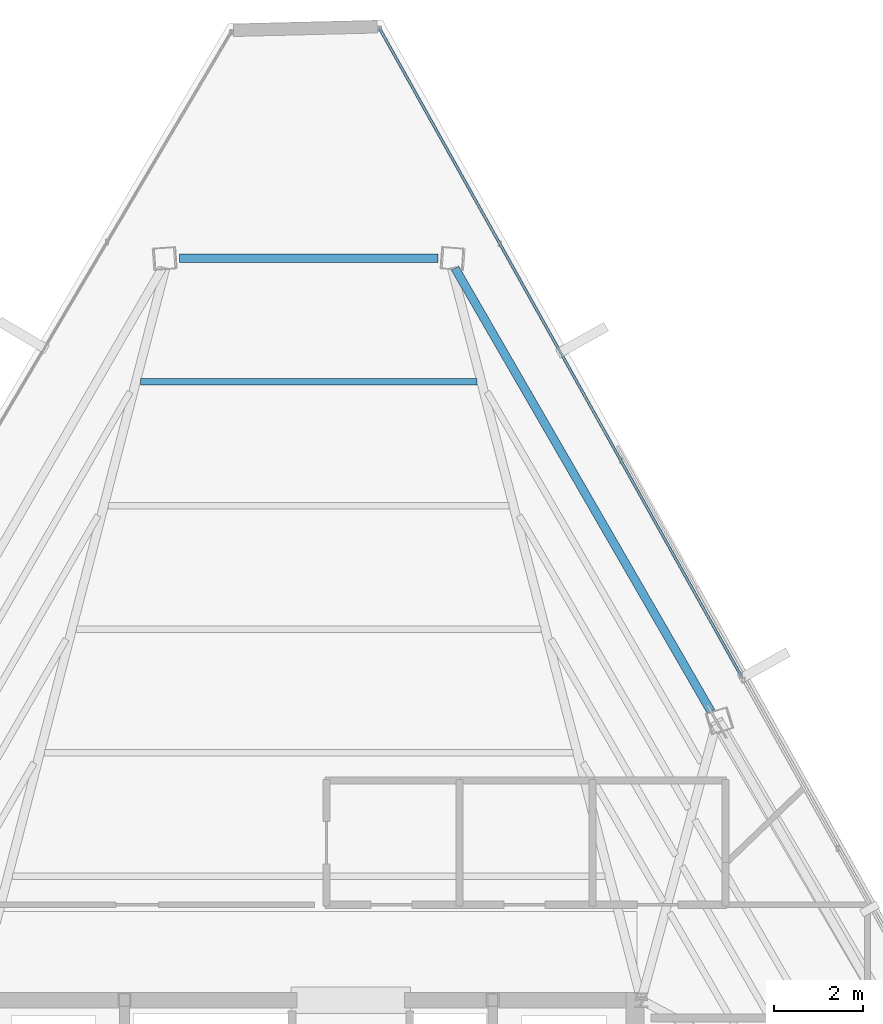
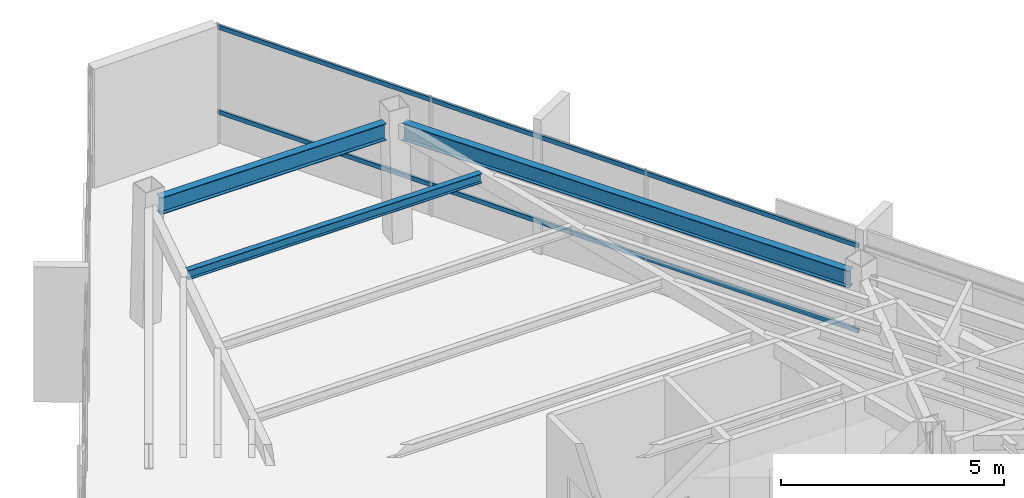
# One storey, part 35 of 44: 3 beams, 2 members, 1 element without a shape of its own.
"""IFC4 building model written with IfcOpenShell, lengths in metres."""

import ifcopenshell
import ifcopenshell.guid

model = None  # the IFC model being written
_history = None  # IfcOwnerHistory: only IFC2X3 demands one
_inside = {}  # id of a spatial element -> (the spatial element, [elements in it])
_under = {}  # id of a project, library or spatial element -> (it, [spatial elements below it])
_declared = {}  # id of a project -> (the project, [libraries it declares])
_typed = {}  # id of a type object -> (the type object, [elements of that type])
_made_of = {}  # id of a material, layer set ... -> (it, [elements and type objects made of it])


def new_model(schema):
    """Start an empty IFC model of exactly this schema.

    Asked for "IFC4X3", IfcOpenShell would pick the latest addendum, in which some entities
    have other attributes; the version numbers below select the first issue.
    IFC2X3 requires an IfcOwnerHistory on every rooted entity: one is made here for all.
    """
    global model, _history
    if schema == "IFC4X3":
        model = ifcopenshell.file(schema_version=(4, 3, 0, 0))
    else:
        model = ifcopenshell.file(schema=schema)
    _inside.clear()
    _under.clear()
    _declared.clear()
    _typed.clear()
    _made_of.clear()
    _history = None
    if model.schema == "IFC2X3":
        org = make("IfcOrganization", Name="unknown")
        user = make(
            "IfcPersonAndOrganization",
            ThePerson=make("IfcPerson", FamilyName="unknown"),
            TheOrganization=org,
        )
        app = make(
            "IfcApplication",
            ApplicationDeveloper=org,
            Version="unknown",
            ApplicationFullName="unknown",
            ApplicationIdentifier="unknown",
        )
        _history = make(
            "IfcOwnerHistory",
            OwningUser=user,
            OwningApplication=app,
            ChangeAction="ADDED",
            CreationDate=0,
        )
    return model


def make(cls, **values):
    """One entity of the class cls with the attributes given. An attribute that is None is left unset."""
    return model.create_entity(
        cls, **{name: value for name, value in values.items() if value is not None}
    )


def rooted(cls, **values):
    """An entity with a GlobalId (a new one), such as an element, a storey or a relation."""
    return make(cls, GlobalId=ifcopenshell.guid.new(), OwnerHistory=_history, **values)


def si_unit(unit_type, name, prefix=None):
    """IfcSIUnit, for example si_unit("LENGTHUNIT", "METRE", prefix="MILLI")."""
    return make("IfcSIUnit", UnitType=unit_type, Prefix=prefix, Name=name)


def assignment(units):
    """IfcUnitAssignment: the units of a project."""
    return None if units is None else make("IfcUnitAssignment", Units=units)


def point(xyz):
    """IfcCartesianPoint."""
    return None if xyz is None else make("IfcCartesianPoint", Coordinates=xyz)


def direction(xyz):
    """IfcDirection."""
    return None if xyz is None else make("IfcDirection", DirectionRatios=xyz)


def frame(location, z_axis=None, x_axis=None):
    """IfcAxis2Placement3D, a coordinate frame: its origin and axes. An axis left out is left unset."""
    return make(
        "IfcAxis2Placement3D",
        Location=point(location),
        Axis=direction(z_axis),
        RefDirection=direction(x_axis),
    )


def frame_2d(location, x_axis=None):
    """IfcAxis2Placement2D, a coordinate frame in the plane: its origin and x axis."""
    return make(
        "IfcAxis2Placement2D", Location=point(location), RefDirection=direction(x_axis)
    )


def origin():
    """The frame at (0, 0, 0) with its axes left unset."""
    return frame((0.0, 0.0, 0.0))


def origin_2d():
    """The frame at (0, 0) in the plane with its x axis left unset."""
    return frame_2d((0.0, 0.0))


def place(relative_to, where):
    """IfcLocalPlacement: puts the frame where relative to a parent placement (None: the world)."""
    return make(
        "IfcLocalPlacement", PlacementRelTo=relative_to, RelativePlacement=where
    )


def context(
    kind, dimensions, precision=None, world=None, true_north=None, identifier=None
):
    """IfcGeometricRepresentationContext, for example the 3D "Model" context."""
    return make(
        "IfcGeometricRepresentationContext",
        ContextIdentifier=identifier,
        ContextType=kind,
        CoordinateSpaceDimension=dimensions,
        Precision=precision,
        WorldCoordinateSystem=world,
        TrueNorth=true_north,
    )


def subcontext(parent, identifier, kind, view, scale=None):
    """IfcGeometricRepresentationSubContext, for example "Body" below "Model"."""
    return make(
        "IfcGeometricRepresentationSubContext",
        ContextIdentifier=identifier,
        ContextType=kind,
        ParentContext=parent,
        TargetScale=scale,
        TargetView=view,
    )


def project(units=None, contexts=None):
    """IfcProject with its units and contexts."""
    return rooted(
        "IfcProject",
        Name="project",
        RepresentationContexts=contexts,
        UnitsInContext=assignment(units),
    )


def spatial(cls, under=None, at=None, **own):
    """A site, building, storey or space (cls), placed at a placement, below another one or the project."""
    s = rooted(cls, ObjectPlacement=at, **own)
    if under is not None:
        _under.setdefault(under.id(), (under, []))[1].append(s)
    return s


def profile(cls, at=None, kind="AREA", **sizes):
    """A parametric profile (cls). Its sizes go by their IFC names, for example OverallWidth=200.0."""
    return make(cls, ProfileType=kind, Position=at, **sizes)


def hollow_rectangle(**sizes):
    """IfcRectangleHollowProfileDef."""
    return profile("IfcRectangleHollowProfileDef", **sizes)


def i_section(**sizes):
    """IfcIShapeProfileDef."""
    return profile("IfcIShapeProfileDef", **sizes)


def extrude(swept, where, along, depth):
    """IfcExtrudedAreaSolid: the profile swept, set in the frame where, extruded along a direction by depth."""
    return make(
        "IfcExtrudedAreaSolid",
        SweptArea=swept,
        Position=where,
        ExtrudedDirection=direction(along),
        Depth=depth,
    )


def shape(context_of_items, identifier, shape_type, items):
    """IfcShapeRepresentation: the items that make up one representation, for example the "Body"."""
    return make(
        "IfcShapeRepresentation",
        ContextOfItems=context_of_items,
        RepresentationIdentifier=identifier,
        RepresentationType=shape_type,
        Items=items,
    )


def source(mapping_origin, context_of_items, identifier, shape_type, items):
    """IfcRepresentationMap: a shape defined once, which mapped items show again and again."""
    return make(
        "IfcRepresentationMap",
        MappingOrigin=mapping_origin,
        MappedRepresentation=shape(context_of_items, identifier, shape_type, items),
    )


def transform(
    local_origin,
    x_axis=None,
    y_axis=None,
    z_axis=None,
    scale=None,
    scale2=None,
    scale3=None,
    uniform=True,
):
    """IfcCartesianTransformationOperator3D, or its non-uniform kind. x_axis, y_axis, z_axis: its Axis1, 2, 3."""
    if uniform:
        return make(
            "IfcCartesianTransformationOperator3D",
            Axis1=direction(x_axis),
            Axis2=direction(y_axis),
            LocalOrigin=point(local_origin),
            Scale=scale,
            Axis3=direction(z_axis),
        )
    return make(
        "IfcCartesianTransformationOperator3DnonUniform",
        Axis1=direction(x_axis),
        Axis2=direction(y_axis),
        LocalOrigin=point(local_origin),
        Scale=scale,
        Axis3=direction(z_axis),
        Scale2=scale2,
        Scale3=scale3,
    )


def mapped(mapping_source, mapping_target):
    """IfcMappedItem: shows the shape of a source again, moved by a transform."""
    return make(
        "IfcMappedItem", MappingSource=mapping_source, MappingTarget=mapping_target
    )


def material(Name=None, Category=None):
    """IfcMaterial."""
    return make("IfcMaterial", Name=Name, Category=Category)


def material_profile(
    of_material, cross_section, Name=None, Category=None, Priority=None
):
    """IfcMaterialProfile: a cross section and its material."""
    return make(
        "IfcMaterialProfile",
        Name=Name,
        Material=of_material,
        Profile=cross_section,
        Priority=Priority,
        Category=Category,
    )


def profile_set(profiles, Name=None, composite=None):
    """IfcMaterialProfileSet."""
    return make(
        "IfcMaterialProfileSet",
        Name=Name,
        MaterialProfiles=profiles,
        CompositeProfile=composite,
    )


def made_of(thing, what):
    """Note that an element or type object is made of a material, layer set ...; save() writes the relation."""
    if what is not None:
        _made_of.setdefault(what.id(), (what, []))[1].append(thing)
    return thing


def type_object(cls, material=None, **own):
    """A type object (cls), such as IfcWallType, which elements share."""
    return made_of(rooted(cls, **own), material)


def type_shapes(of_type, sources):
    """Give a type object the sources (RepresentationMaps) that its elements show as mapped items."""
    of_type.RepresentationMaps = sources


def element(
    cls,
    number,
    at=None,
    inside=None,
    cuts=None,
    type_object=None,
    material=None,
    context=None,
    identifier="Body",
    shape_type=None,
    held_by="IfcProductDefinitionShape",
    body=None,
    shapes=None,
    **own,
):
    """One element of the class cls, such as IfcWall. Its Tag is "e" and its number.

    at: its placement. inside: the storey or other place that contains it. cuts: it is an
    opening in that element (IfcRelVoidsElement). A single representation is given by context,
    identifier, shape_type and body (its items); several are given by shapes. held_by: the class
    of the entity that holds the representations. save() writes the other relations.
    """
    e = rooted(cls, Tag="e%d" % number, ObjectPlacement=at, **own)
    if body is not None:
        shapes = [shape(context, identifier, shape_type, body)]
    if shapes is not None:
        e.Representation = make(held_by, Representations=shapes)
    if inside is not None:
        _inside.setdefault(inside.id(), (inside, []))[1].append(e)
    if cuts is not None:
        rooted(
            "IfcRelVoidsElement", RelatingBuildingElement=cuts, RelatedOpeningElement=e
        )
    if type_object is not None:
        _typed.setdefault(type_object.id(), (type_object, []))[1].append(e)
    return made_of(e, material)


def aggregate(whole, parts):
    """IfcRelAggregates: a whole, such as a stair, and the parts it consists of."""
    return rooted("IfcRelAggregates", RelatingObject=whole, RelatedObjects=parts)


def save(model, path):
    """Write the relations noted so far, then the file.

    IfcRelAggregates (storeys below a building ...), IfcRelContainedInSpatialStructure (elements
    in a storey), IfcRelDefinesByType, IfcRelAssociatesMaterial and IfcRelDeclares: one each for
    every whole, place, type object, material and project.
    """
    for whole, parts in _under.values():
        aggregate(whole, parts)
    for where, things in _inside.values():
        rooted(
            "IfcRelContainedInSpatialStructure",
            RelatedElements=things,
            RelatingStructure=where,
        )
    for kind, things in _typed.values():
        rooted("IfcRelDefinesByType", RelatedObjects=things, RelatingType=kind)
    for what, things in _made_of.values():
        rooted("IfcRelAssociatesMaterial", RelatedObjects=things, RelatingMaterial=what)
    for by, libraries in _declared.values():
        rooted("IfcRelDeclares", RelatingContext=by, RelatedDefinitions=libraries)
    model.write(path)


model = new_model("IFC4")

# Units and contexts
model_context = context("Model", 3, precision=1e-05, world=origin(), true_north=direction((0.0, 1.0)))
body_context = subcontext(model_context, "Body", "Model", "MODEL_VIEW")
ifc_project = project(units=[si_unit("LENGTHUNIT", "METRE"), si_unit("AREAUNIT", "SQUARE_METRE"), si_unit("VOLUMEUNIT", "CUBIC_METRE"), si_unit("PLANEANGLEUNIT", "RADIAN"), si_unit("MASSUNIT", "GRAM", prefix="KILO")], contexts=[model_context])

# Site, building, storey
site_placement = place(None, origin())
site = spatial("IfcSite", under=ifc_project, at=site_placement, CompositionType="ELEMENT")
building_placement = place(site_placement, origin())
building = spatial("IfcBuilding", under=site, at=building_placement, Name="Caelisora Broadcast Tower", CompositionType="ELEMENT")
storey_placement = place(building_placement, frame((0.0, 0.0, 280.949951171875)))
storey = spatial("IfcBuildingStorey", under=building, at=storey_placement, Name="L74", CompositionType="ELEMENT", Elevation=280.949951171875)

# Beams
ifc_material_1 = material(Name="Steel Grade 350 (AS/NZS 3679.1)", Category="steel")
ifc_material_profile_1 = material_profile(ifc_material_1, i_section(OverallWidth=0.19091796875, OverallDepth=0.46044921875, WebThickness=0.010009765625, FlangeThickness=0.01611328125, at=origin_2d()), Name="Steel Grade 350 (AS/NZS 3679.1)")
ifc_profile_set_1 = profile_set([ifc_material_profile_1], Name="Steel Grade 350 (AS/NZS 3679.1)")
beam_type_1 = type_object("IfcBeamType", Name="PG06", PredefinedType="BEAM", material=ifc_profile_set_1)
shared_shape_1 = source(origin(), body_context, "Body", "SweptSolid", [
    extrude(i_section(OverallWidth=0.19091796875, OverallDepth=0.46044921875, WebThickness=0.010009765625, FlangeThickness=0.01611328125, at=origin_2d()), origin(), (0.0, 0.0, 1.0), 5.82470703125),
])
beam_1_placement = place(storey_placement, frame((40.912353515625, 46.724365234375, 3.019775390625), z_axis=(-1.0, 0.0, 0.0), x_axis=(0.0, -1.0, 0.0)))
element("IfcBeam", 1, at=beam_1_placement, inside=storey, type_object=beam_type_1, Name="L74 beam PG06", PredefinedType="BEAM", context=body_context, shape_type="MappedRepresentation", body=[
    mapped(shared_shape_1, transform((0.0, 0.0, 0.0), scale=1.0)),
])
shared_shape_2 = source(origin(), body_context, "Body", "SweptSolid", [
    extrude(i_section(OverallWidth=0.19091796875, OverallDepth=0.46044921875, WebThickness=0.010009765625, FlangeThickness=0.01611328125, at=origin_2d()), origin(), (0.0, 0.0, 1.0), 11.542236328125),
])
type_shapes(beam_type_1, [shared_shape_1, shared_shape_2])
beam_2_placement = place(storey_placement, frame((47.073486328125, 36.503173828125, 3.019775390625), z_axis=(-0.499992828295, 0.866029544331, 0.0), x_axis=(-0.866029544331, -0.499992828295, 0.0)))
element("IfcBeam", 2, at=beam_2_placement, inside=storey, type_object=beam_type_1, Name="L74 beam PG06", PredefinedType="BEAM", context=body_context, shape_type="MappedRepresentation", body=[
    mapped(shared_shape_2, transform((0.0, 0.0, 0.0), scale=1.0)),
])
ifc_material_profile_2 = material_profile(ifc_material_1, i_section(OverallWidth=0.14599609375, OverallDepth=0.256103515625, WebThickness=0.00634765625, FlangeThickness=0.010986328125, at=origin_2d()), Name="Steel Grade 350 (AS/NZS 3679.1)")
ifc_profile_set_2 = profile_set([ifc_material_profile_2], Name="Steel Grade 350 (AS/NZS 3679.1)")
beam_type_2 = type_object("IfcBeamType", Name="SB04", PredefinedType="JOIST", material=ifc_profile_set_2)
shared_shape_3 = source(origin(), body_context, "Body", "SweptSolid", [
    extrude(i_section(OverallWidth=0.14599609375, OverallDepth=0.256103515625, WebThickness=0.00634765625, FlangeThickness=0.010986328125, at=origin_2d()), origin(), (0.0, 0.0, 1.0), 7.5869140625),
])
type_shapes(beam_type_2, [shared_shape_3])
beam_3_placement = place(storey_placement, frame((41.79345703125, 43.93701171875, 3.1220703125), z_axis=(-1.0, 0.0, 0.0), x_axis=(0.0, -1.0, 0.0)))
element("IfcBeam", 3, at=beam_3_placement, inside=storey, type_object=beam_type_2, Name="L74 beam SB04", PredefinedType="JOIST", context=body_context, shape_type="MappedRepresentation", body=[
    mapped(shared_shape_3, transform((0.0, 0.0, 0.0), scale=1.0)),
])

# Curtain wall, members
ifc_material_2 = material(Name="Unitised Aluminium and Low-E Glass Curtain Wall", Category="glass")
curtain_wall_type = type_object("IfcCurtainWallType", Name="CW-Z5", PredefinedType="NOTDEFINED", material=ifc_material_2)
curtain_wall_placement = place(storey_placement, origin())
curtain_wall = element("IfcCurtainWall", 4, at=curtain_wall_placement, inside=storey, type_object=curtain_wall_type, Name="L74 curtain wall CW-Z5", PredefinedType="NOTDEFINED")
ifc_material_3 = material(Name="Aluminium 6063-T6 Anodised Terracotta Bronze", Category="aluminium")
ifc_material_profile_3 = material_profile(ifc_material_3, hollow_rectangle(XDim=0.06005859375, YDim=0.1201171875, WallThickness=0.0029296875, at=origin_2d()), Name="Aluminium 6063-T6 Anodised Terracotta Bronze")
ifc_profile_set_3 = profile_set([ifc_material_profile_3], Name="Aluminium 6063-T6 Anodised Terracotta Bronze")
member_type = type_object("IfcMemberType", Name="CWT-03", PredefinedType="USERDEFINED", material=ifc_profile_set_3)
shared_shape_4 = source(origin(), body_context, "Body", "SweptSolid", [
    extrude(hollow_rectangle(XDim=0.06005859375, YDim=0.1201171875, WallThickness=0.0029296875, at=origin_2d()), origin(), (0.0, 0.0, 1.0), 16.706298828125),
])
type_shapes(member_type, [shared_shape_4])
member_1_placement = place(storey_placement, frame((39.602294921875, 51.900390625, 0.85009765625), z_axis=(0.487572413161, -0.873082551609, 0.0), x_axis=(0.873082551609, 0.487572413161, 0.0)))
member_1 = element("IfcMember", 5, at=member_1_placement, type_object=member_type, Name="L74-CW-B01 transom #1", ObjectType="TRANSOM", PredefinedType="USERDEFINED", context=body_context, shape_type="MappedRepresentation", body=[
    mapped(shared_shape_4, transform((0.0, 0.0, 0.0), scale=1.0)),
])
member_2_placement = place(storey_placement, frame((39.602294921875, 51.900390625, 3.170166015625), z_axis=(0.487572413161, -0.873082551609, 0.0), x_axis=(0.873082551609, 0.487572413161, 0.0)))
member_2 = element("IfcMember", 6, at=member_2_placement, type_object=member_type, Name="L74-CW-B01 transom #2", ObjectType="TRANSOM", PredefinedType="USERDEFINED", context=body_context, shape_type="MappedRepresentation", body=[
    mapped(shared_shape_4, transform((0.0, 0.0, 0.0), scale=1.0)),
])
aggregate(curtain_wall, [member_1, member_2])

save(model, "model.ifc")
